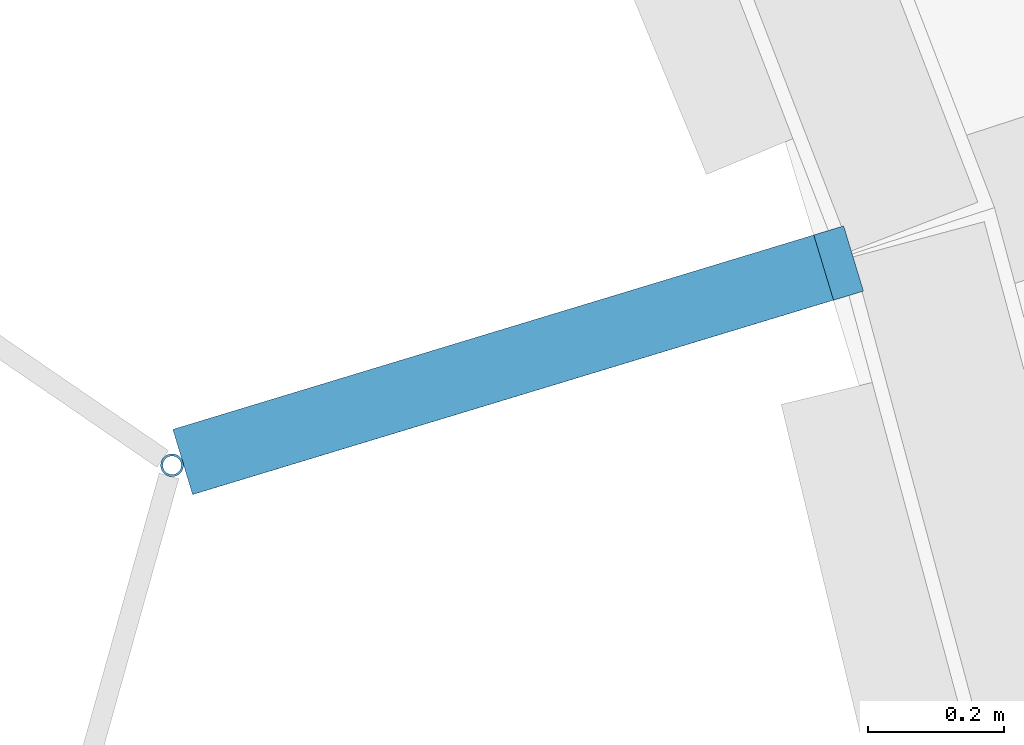
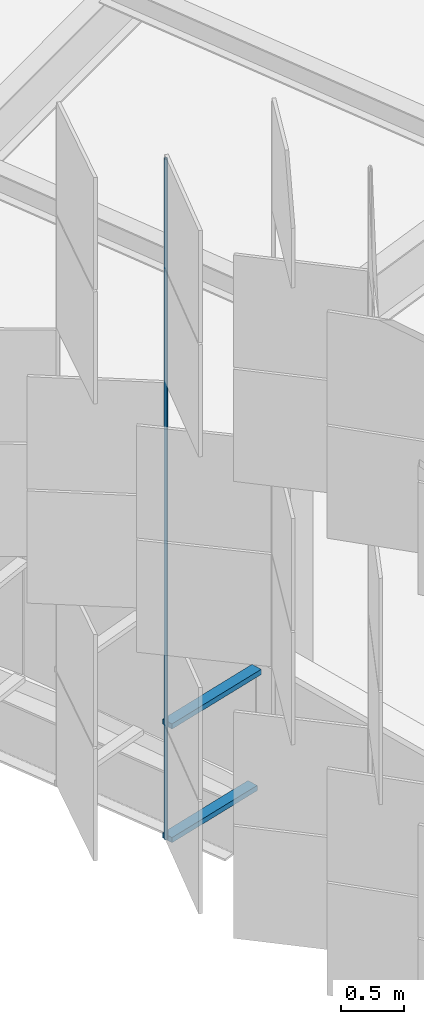
# One storey, part 210 of 483: 3 discrete accessories.
"""IFC4 building model written with IfcOpenShell, lengths in metres."""

from ifc_helpers import new_model, si_unit, direction, frame, origin, origin_2d, place, context, subcontext, project, spatial, rectangle, hollow_circle, extrude, material, material_profile, profile_set, type_object, element, save


model = new_model("IFC4")

# Units and contexts
model_context = context("Model", 3, precision=1e-05, world=origin(), true_north=direction((0.0, 1.0)))
body_context = subcontext(model_context, "Body", "Model", "MODEL_VIEW")
ifc_project = project(units=[si_unit("LENGTHUNIT", "METRE"), si_unit("AREAUNIT", "SQUARE_METRE"), si_unit("VOLUMEUNIT", "CUBIC_METRE"), si_unit("PLANEANGLEUNIT", "RADIAN"), si_unit("MASSUNIT", "GRAM", prefix="KILO")], contexts=[model_context])

# Site, building, storey
site_placement = place(None, origin())
site = spatial("IfcSite", under=ifc_project, at=site_placement, CompositionType="ELEMENT")
building_placement = place(site_placement, origin())
building = spatial("IfcBuilding", under=site, at=building_placement, Name="Parallax Yard Mobility Hub", CompositionType="ELEMENT")
storey_placement = place(building_placement, frame((0.0, 0.0, 13.199951171875)))
storey = spatial("IfcBuildingStorey", under=building, at=storey_placement, Name="L04", CompositionType="ELEMENT", Elevation=13.199951171875)

# Discrete accessories
ifc_material_1 = material(Name="Steel ASTM A36, hot-dip galvanised", Category="steel")
discrete_accessory_type_1 = type_object("IfcDiscreteAccessoryType", Name="Hinge bracket plate 100x50", PredefinedType="BRACKET", material=ifc_material_1)
discrete_accessory_1_placement = place(storey_placement, frame((193.422607421875, 96.802490234375, -0.02490234375), z_axis=(0.0, 0.0, 1.0), x_axis=(-0.956940335732, -0.290284677254, 0.0)))
element("IfcDiscreteAccessory", 1, at=discrete_accessory_1_placement, inside=storey, type_object=discrete_accessory_type_1, Name="Hinge bracket plate bay 22.1 level L04", PredefinedType="BRACKET", context=body_context, shape_type="SweptSolid", body=[
    extrude(rectangle(XDim=0.984130859375, YDim=0.10009765625, at=origin_2d()), origin(), (0.0, 0.0, 1.0), 0.050048828125),
])
discrete_accessory_2_placement = place(storey_placement, frame((193.444580078125, 96.80908203125, 1.06982421875), z_axis=(0.0, 0.0, 1.0), x_axis=(-0.956940335732, -0.290284677254, 0.0)))
element("IfcDiscreteAccessory", 2, at=discrete_accessory_2_placement, inside=storey, type_object=discrete_accessory_type_1, Name="Hinge bracket plate bay 22.1 level L04", PredefinedType="BRACKET", context=body_context, shape_type="SweptSolid", body=[
    extrude(rectangle(XDim=1.030029296875, YDim=0.10009765625, at=origin_2d()), origin(), (0.0, 0.0, 1.0), 0.050048828125),
])
ifc_material_2 = material(Name="Steel ASTM A500 Gr C, hot-dip galvanised", Category="steel")
ifc_material_profile = material_profile(ifc_material_2, hollow_circle(Radius=0.016845703125, WallThickness=0.003173828125, at=origin_2d()), Name="CHS 33.7x3.2")
ifc_profile_set = profile_set([ifc_material_profile], Name="Steel ASTM A500 Gr C, hot-dip galvanised")
discrete_accessory_type_2 = type_object("IfcDiscreteAccessoryType", Name="Hinge post CHS 33.7x3.2", PredefinedType="BRACKET", material=ifc_profile_set)
discrete_accessory_3_placement = place(storey_placement, frame((192.93603515625, 96.65478515625, 0.0), z_axis=(0.0, 0.0, 1.0), x_axis=(1.0, 0.0, 0.0)))
element("IfcDiscreteAccessory", 3, at=discrete_accessory_3_placement, inside=storey, type_object=discrete_accessory_type_2, Name="Hinge post bay 22.1 level L04", PredefinedType="BRACKET", context=body_context, shape_type="SweptSolid", body=[
    extrude(hollow_circle(Radius=0.016845703125, WallThickness=0.003173828125, at=origin_2d()), origin(), (0.0, 0.0, 1.0), 6.550048828125),
])

save(model, "model.ifc")
